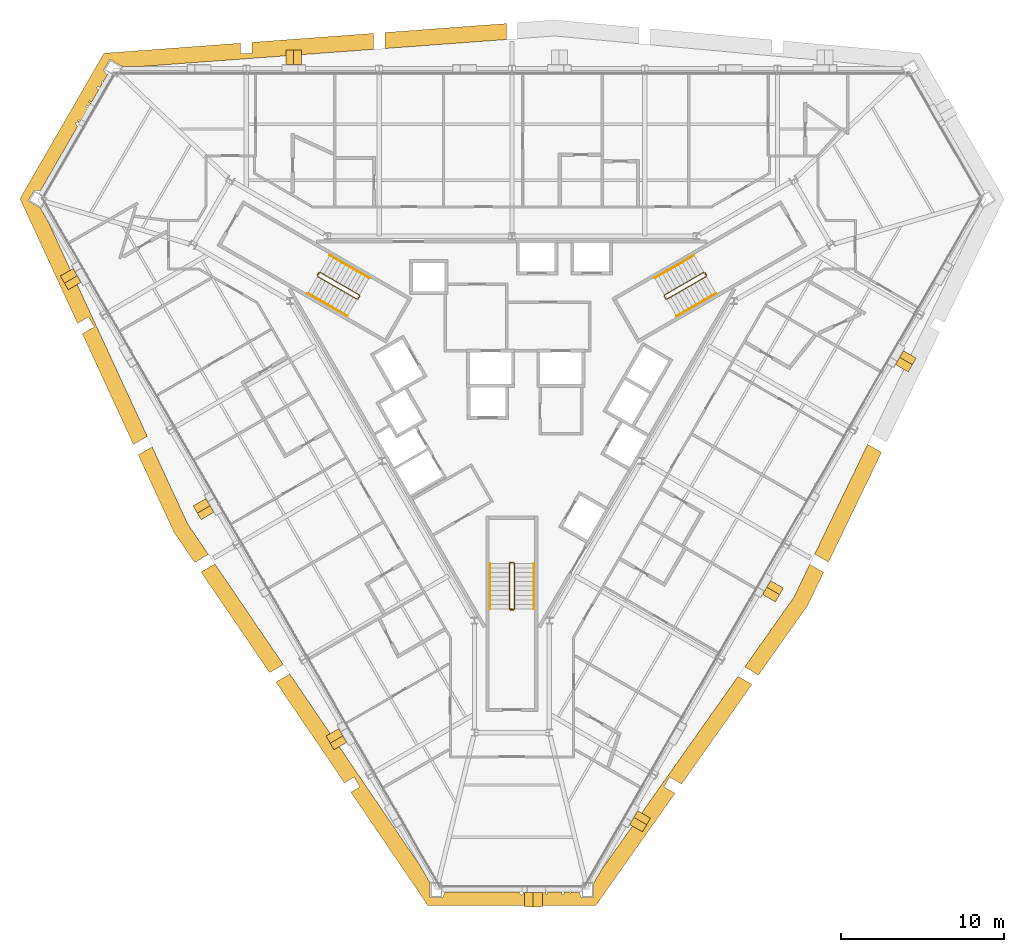
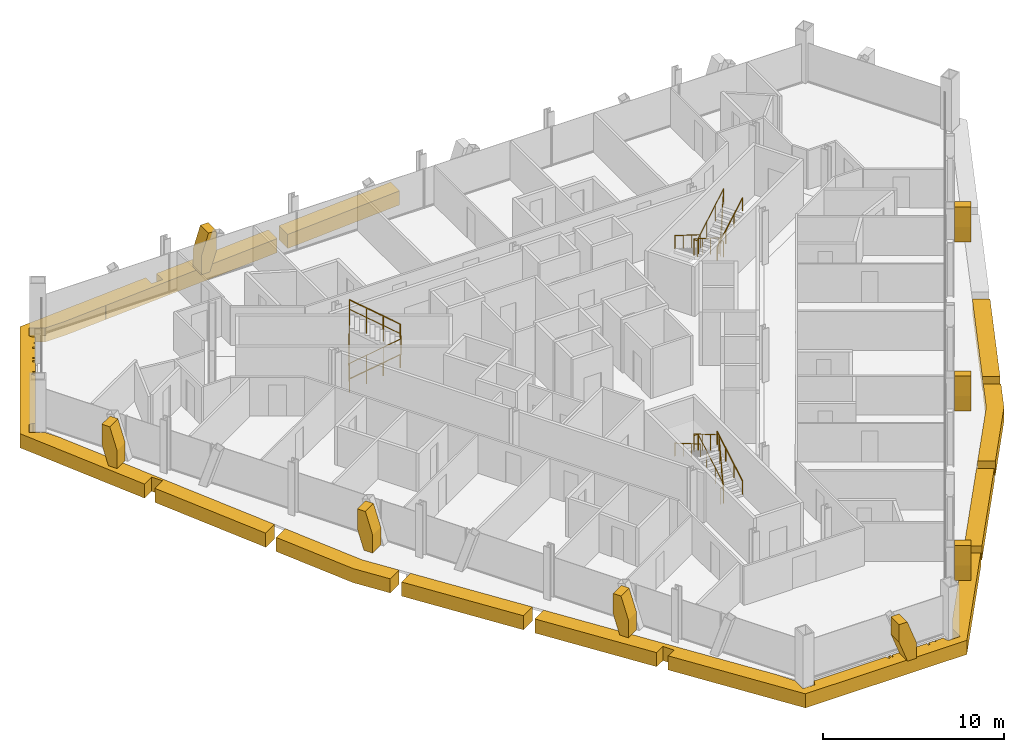
# One storey, part 18 of 19: 15 coverings, 9 railings.
"""IFC4 building model written with IfcOpenShell, lengths in metres."""

from ifc_helpers import new_model, si_unit, direction, frame, origin, origin_2d, place, context, subcontext, project, spatial, polyline, circle, outline, extrude, material, layer, layer_set, type_object, element, save


model = new_model("IFC4")

# Units and contexts
model_context = context("Model", 3, precision=1e-05, world=origin(), true_north=direction((0.0, 1.0)))
body_context = subcontext(model_context, "Body", "Model", "MODEL_VIEW")
ifc_project = project(units=[si_unit("LENGTHUNIT", "METRE"), si_unit("AREAUNIT", "SQUARE_METRE"), si_unit("VOLUMEUNIT", "CUBIC_METRE"), si_unit("PLANEANGLEUNIT", "RADIAN"), si_unit("MASSUNIT", "GRAM", prefix="KILO")], contexts=[model_context])

# Site, building, storey
site_placement = place(None, origin())
site = spatial("IfcSite", under=ifc_project, at=site_placement, CompositionType="ELEMENT")
building_placement = place(site_placement, origin())
building = spatial("IfcBuilding", under=site, at=building_placement, Name="Verrane Prism Tower", CompositionType="ELEMENT")
storey_placement = place(building_placement, frame((0.0, 0.0, 125.199951171875)))
storey = spatial("IfcBuildingStorey", under=building, at=storey_placement, Name="L30", CompositionType="ELEMENT", Elevation=125.199951171875)

# Railings
ifc_material_1 = material(Name="Steel A36 rail and posts, no infill", Category="steel")
railing_type_1 = type_object("IfcRailingType", Name="Stair guard 1100 steel rail and posts", PredefinedType="GUARDRAIL", material=ifc_material_1)
railing_1_placement = place(storey_placement, frame((11.78955078125, 6.97998046875, 0.16357421875)))
element("IfcRailing", 1, at=railing_1_placement, inside=storey, type_object=railing_type_1, Name="Stair 1 guard", PredefinedType="GUARDRAIL", context=body_context, shape_type="SweptSolid", body=[
    extrude(circle(Radius=0.02392578125, at=origin_2d()), frame((0.0, 0.0, 1.076171875), z_axis=(-0.747665513933, -0.431721881032, 0.504591415616), x_axis=(0.500049511043, -0.865996816683, 0.0)), (0.0, 0.0, 1.0), 3.2431640625),
    extrude(circle(Radius=0.02392578125, at=origin_2d()), frame((-2.4248046875, -1.400146484375, 2.71240234375), z_axis=(-0.259601060869, -0.965715946433, 0.0), x_axis=(0.965715946433, -0.259601060869, 0.0)), (0.0, 0.0, 1.0), 0.070556640625),
    extrude(circle(Radius=0.02392578125, at=origin_2d()), frame((-2.443115234375, -1.46826171875, 2.71240234375), z_axis=(0.499158860599, -0.866510491504, 0.0), x_axis=(0.866510491504, 0.499158860599, 0.0)), (0.0, 0.0, 1.0), 0.199951171875),
    extrude(circle(Radius=0.02392578125, at=origin_2d()), frame((-2.34326171875, -1.6416015625, 2.71240234375), z_axis=(0.383552647116, -0.102737316192, 0.917786691313), x_axis=(0.258736085224, 0.965948051503, 0.0)), (0.0, 0.0, 1.0), 0.17822265625),
    extrude(circle(Radius=0.02392578125, at=origin_2d()), frame((-2.27490234375, -1.659912109375, 2.8759765625), z_axis=(0.747665513933, 0.431721881032, 0.504591415616), x_axis=(-0.500049511043, 0.865996816683, 0.0)), (0.0, 0.0, 1.0), 3.2431640625),
    extrude(circle(Radius=0.02392578125, at=origin_2d()), frame((0.14990234375, -0.259765625, 4.5126953125), z_axis=(-0.022593669287, 0.066901613547, -0.997503734436), x_axis=(-0.947430582667, -0.3199613899, 0.0)), (0.0, 0.0, 1.0), 3.609130859375),
    extrude(circle(Radius=0.02392578125, at=origin_2d()), frame((0.068359375, -0.018310546875, 0.91259765625), z_axis=(0.499158860599, -0.866510491504, 0.0), x_axis=(0.866510491504, 0.499158860599, 0.0)), (0.0, 0.0, 1.0), 0.199951171875),
    extrude(circle(Radius=0.02099609375, at=origin_2d()), origin(), (0.0, 0.0, 1.0), 1.052001953125),
    extrude(circle(Radius=0.02099609375, at=origin_2d()), frame((-0.808349609375, -0.466796875, 0.54541015625)), (0.0, 0.0, 1.0), 1.052001953125),
    extrude(circle(Radius=0.02099609375, at=origin_2d()), frame((-1.616455078125, -0.933349609375, 1.091064453125)), (0.0, 0.0, 1.0), 1.052001953125),
    extrude(circle(Radius=0.02099609375, at=origin_2d()), frame((-2.4248046875, -1.400146484375, 1.636474609375)), (0.0, 0.0, 1.0), 1.052001953125),
    extrude(circle(Radius=0.02099609375, at=origin_2d()), frame((-2.443115234375, -1.46826171875, 1.636474609375)), (0.0, 0.0, 1.0), 1.052001953125),
    extrude(circle(Radius=0.02099609375, at=origin_2d()), frame((-2.34326171875, -1.6416015625, 1.636474609375)), (0.0, 0.0, 1.0), 1.052001953125),
    extrude(circle(Radius=0.02099609375, at=origin_2d()), frame((-2.27490234375, -1.659912109375, 1.800048828125)), (0.0, 0.0, 1.0), 1.052001953125),
    extrude(circle(Radius=0.02099609375, at=origin_2d()), frame((-1.466552734375, -1.193115234375, 2.345458984375)), (0.0, 0.0, 1.0), 1.052001953125),
    extrude(circle(Radius=0.02099609375, at=origin_2d()), frame((-0.658447265625, -0.7265625, 2.89111328125)), (0.0, 0.0, 1.0), 1.052001953125),
    extrude(circle(Radius=0.02099609375, at=origin_2d()), frame((0.14990234375, -0.259765625, 3.4365234375)), (0.0, 0.0, 1.0), 1.052001953125),
    extrude(circle(Radius=0.02099609375, at=origin_2d()), frame((0.12939453125, -0.199462890625, 2.53662109375)), (0.0, 0.0, 1.0), 1.052001953125),
    extrude(circle(Radius=0.02099609375, at=origin_2d()), frame((0.109130859375, -0.13916015625, 1.636474609375)), (0.0, 0.0, 1.0), 1.052001953125),
    extrude(circle(Radius=0.02099609375, at=origin_2d()), frame((0.0888671875, -0.07861328125, 0.736328125)), (0.0, 0.0, 1.0), 1.052001953125),
    extrude(circle(Radius=0.02099609375, at=origin_2d()), frame((0.068359375, -0.018310546875, -0.16357421875)), (0.0, 0.0, 1.0), 1.052001953125),
    extrude(circle(Radius=0.02099609375, at=origin_2d()), frame((0.168212890625, -0.191650390625, -0.16357421875)), (0.0, 0.0, 1.0), 1.052001953125),
])
railing_2_placement = place(storey_placement, frame((-11.939453125, 6.72021484375, 0.16357421875)))
element("IfcRailing", 2, at=railing_2_placement, inside=storey, type_object=railing_type_1, Name="Stair 2 guard", PredefinedType="GUARDRAIL", context=body_context, shape_type="SweptSolid", body=[
    extrude(circle(Radius=0.02392578125, at=origin_2d()), frame((0.0, 0.0, 1.076171875), z_axis=(0.747665513933, -0.431721881032, 0.504591415616), x_axis=(0.500049511043, 0.865996816683, 0.0)), (0.0, 0.0, 1.0), 3.2431640625),
    extrude(circle(Radius=0.02392578125, at=origin_2d()), frame((2.4248046875, -1.400146484375, 2.71240234375), z_axis=(0.965948051503, 0.258736085224, 0.0), x_axis=(-0.258736085224, 0.965948051503, 0.0)), (0.0, 0.0, 1.0), 0.07080078125),
    extrude(circle(Radius=0.02392578125, at=origin_2d()), frame((2.4931640625, -1.3818359375, 2.71240234375), z_axis=(0.499158860599, 0.866510491504, 0.0), x_axis=(-0.866510491504, 0.499158860599, 0.0)), (0.0, 0.0, 1.0), 0.199951171875),
    extrude(circle(Radius=0.02392578125, at=origin_2d()), frame((2.593017578125, -1.20849609375, 2.71240234375), z_axis=(-0.102791240646, 0.382383415203, 0.918268416436), x_axis=(-0.965715946433, -0.259601060869, 0.0)), (0.0, 0.0, 1.0), 0.17822265625),
    extrude(circle(Radius=0.02392578125, at=origin_2d()), frame((2.57470703125, -1.140380859375, 2.8759765625), z_axis=(-0.747665513933, 0.431721881032, 0.504591415616), x_axis=(-0.500049511043, -0.865996816683, 0.0)), (0.0, 0.0, 1.0), 3.2431640625),
    extrude(circle(Radius=0.02392578125, at=origin_2d()), frame((0.14990234375, 0.259765625, 4.5126953125), z_axis=(-0.046607763296, -0.053101733218, -0.99750083826), x_axis=(0.751567565678, -0.659656118156, 0.0)), (0.0, 0.0, 1.0), 3.609130859375),
    extrude(circle(Radius=0.02392578125, at=origin_2d()), frame((-0.018310546875, 0.068115234375, 0.91259765625), z_axis=(0.499158860599, 0.866510491504, 0.0), x_axis=(-0.866510491504, 0.499158860599, 0.0)), (0.0, 0.0, 1.0), 0.199951171875),
    extrude(circle(Radius=0.02099609375, at=origin_2d()), origin(), (0.0, 0.0, 1.0), 1.052001953125),
    extrude(circle(Radius=0.02099609375, at=origin_2d()), frame((0.808349609375, -0.466796875, 0.54541015625)), (0.0, 0.0, 1.0), 1.052001953125),
    extrude(circle(Radius=0.02099609375, at=origin_2d()), frame((1.616455078125, -0.933349609375, 1.091064453125)), (0.0, 0.0, 1.0), 1.052001953125),
    extrude(circle(Radius=0.02099609375, at=origin_2d()), frame((2.4248046875, -1.400146484375, 1.636474609375)), (0.0, 0.0, 1.0), 1.052001953125),
    extrude(circle(Radius=0.02099609375, at=origin_2d()), frame((2.4931640625, -1.3818359375, 1.636474609375)), (0.0, 0.0, 1.0), 1.052001953125),
    extrude(circle(Radius=0.02099609375, at=origin_2d()), frame((2.593017578125, -1.20849609375, 1.636474609375)), (0.0, 0.0, 1.0), 1.052001953125),
    extrude(circle(Radius=0.02099609375, at=origin_2d()), frame((2.57470703125, -1.140380859375, 1.800048828125)), (0.0, 0.0, 1.0), 1.052001953125),
    extrude(circle(Radius=0.02099609375, at=origin_2d()), frame((1.766357421875, -0.673583984375, 2.345458984375)), (0.0, 0.0, 1.0), 1.052001953125),
    extrude(circle(Radius=0.02099609375, at=origin_2d()), frame((0.958251953125, -0.20703125, 2.89111328125)), (0.0, 0.0, 1.0), 1.052001953125),
    extrude(circle(Radius=0.02099609375, at=origin_2d()), frame((0.14990234375, 0.259765625, 3.4365234375)), (0.0, 0.0, 1.0), 1.052001953125),
    extrude(circle(Radius=0.02099609375, at=origin_2d()), frame((0.10791015625, 0.2119140625, 2.53662109375)), (0.0, 0.0, 1.0), 1.052001953125),
    extrude(circle(Radius=0.02099609375, at=origin_2d()), frame((0.06591796875, 0.1640625, 1.636474609375)), (0.0, 0.0, 1.0), 1.052001953125),
    extrude(circle(Radius=0.02099609375, at=origin_2d()), frame((0.023681640625, 0.115966796875, 0.736328125)), (0.0, 0.0, 1.0), 1.052001953125),
    extrude(circle(Radius=0.02099609375, at=origin_2d()), frame((-0.018310546875, 0.068115234375, -0.16357421875)), (0.0, 0.0, 1.0), 1.052001953125),
    extrude(circle(Radius=0.02099609375, at=origin_2d()), frame((0.08154296875, 0.241455078125, -0.16357421875)), (0.0, 0.0, 1.0), 1.052001953125),
])
railing_3_placement = place(storey_placement, frame((0.14990234375, -13.699951171875, 0.16357421875)))
element("IfcRailing", 3, at=railing_3_placement, inside=storey, type_object=railing_type_1, Name="Stair 3 guard", PredefinedType="GUARDRAIL", context=body_context, shape_type="SweptSolid", body=[
    extrude(circle(Radius=0.02392578125, at=origin_2d()), frame((0.0, 0.0, 1.076171875), z_axis=(0.0, 0.863360870873, 0.504586966384), x_axis=(-1.0, 0.0, 0.0)), (0.0, 0.0, 1.0), 3.2431640625),
    extrude(circle(Radius=0.02392578125, at=origin_2d()), frame((0.0, 2.800048828125, 2.71240234375), z_axis=(-0.707106781187, 0.707106781187, 0.0), x_axis=(-0.707106781187, -0.707106781187, 0.0)), (0.0, 0.0, 1.0), 0.0703125),
    extrude(circle(Radius=0.02392578125, at=origin_2d()), frame((-0.0498046875, 2.849853515625, 2.71240234375), z_axis=(-1.0, 0.0, 0.0), x_axis=(0.0, -1.0, 0.0)), (0.0, 0.0, 1.0), 0.2001953125),
    extrude(circle(Radius=0.02392578125, at=origin_2d()), frame((-0.25, 2.849853515625, 2.71240234375), z_axis=(-0.279653641804, -0.279653641804, 0.918470294159), x_axis=(0.707106781187, -0.707106781187, 0.0)), (0.0, 0.0, 1.0), 0.177978515625),
    extrude(circle(Radius=0.02392578125, at=origin_2d()), frame((-0.2998046875, 2.800048828125, 2.8759765625), z_axis=(0.0, -0.863360870873, 0.504586966384), x_axis=(1.0, 0.0, 0.0)), (0.0, 0.0, 1.0), 3.2431640625),
    extrude(circle(Radius=0.02392578125, at=origin_2d()), frame((-0.2998046875, 0.0, 4.5126953125), z_axis=(0.069269067181, -0.013867342551, -0.997501625634), x_axis=(0.196300278283, 0.98054382908, 0.0)), (0.0, 0.0, 1.0), 3.609130859375),
    extrude(circle(Radius=0.02392578125, at=origin_2d()), frame((-0.0498046875, -0.050048828125, 0.91259765625), z_axis=(-1.0, 0.0, 0.0), x_axis=(0.0, -1.0, 0.0)), (0.0, 0.0, 1.0), 0.2001953125),
    extrude(circle(Radius=0.02099609375, at=origin_2d()), origin(), (0.0, 0.0, 1.0), 1.052001953125),
    extrude(circle(Radius=0.02099609375, at=origin_2d()), frame((0.0, 0.933349609375, 0.54541015625)), (0.0, 0.0, 1.0), 1.052001953125),
    extrude(circle(Radius=0.02099609375, at=origin_2d()), frame((0.0, 1.86669921875, 1.091064453125)), (0.0, 0.0, 1.0), 1.052001953125),
    extrude(circle(Radius=0.02099609375, at=origin_2d()), frame((0.0, 2.800048828125, 1.636474609375)), (0.0, 0.0, 1.0), 1.052001953125),
    extrude(circle(Radius=0.02099609375, at=origin_2d()), frame((-0.0498046875, 2.849853515625, 1.636474609375)), (0.0, 0.0, 1.0), 1.052001953125),
    extrude(circle(Radius=0.02099609375, at=origin_2d()), frame((-0.25, 2.849853515625, 1.636474609375)), (0.0, 0.0, 1.0), 1.052001953125),
    extrude(circle(Radius=0.02099609375, at=origin_2d()), frame((-0.2998046875, 2.800048828125, 1.800048828125)), (0.0, 0.0, 1.0), 1.052001953125),
    extrude(circle(Radius=0.02099609375, at=origin_2d()), frame((-0.2998046875, 1.86669921875, 2.345458984375)), (0.0, 0.0, 1.0), 1.052001953125),
    extrude(circle(Radius=0.02099609375, at=origin_2d()), frame((-0.2998046875, 0.933349609375, 2.89111328125)), (0.0, 0.0, 1.0), 1.052001953125),
    extrude(circle(Radius=0.02099609375, at=origin_2d()), frame((-0.2998046875, 0.0, 3.4365234375)), (0.0, 0.0, 1.0), 1.052001953125),
    extrude(circle(Radius=0.02099609375, at=origin_2d()), frame((-0.2373046875, -0.012451171875, 2.53662109375)), (0.0, 0.0, 1.0), 1.052001953125),
    extrude(circle(Radius=0.02099609375, at=origin_2d()), frame((-0.1748046875, -0.02490234375, 1.636474609375)), (0.0, 0.0, 1.0), 1.052001953125),
    extrude(circle(Radius=0.02099609375, at=origin_2d()), frame((-0.1123046875, -0.03759765625, 0.736328125)), (0.0, 0.0, 1.0), 1.052001953125),
    extrude(circle(Radius=0.02099609375, at=origin_2d()), frame((-0.0498046875, -0.050048828125, -0.16357421875)), (0.0, 0.0, 1.0), 1.052001953125),
    extrude(circle(Radius=0.02099609375, at=origin_2d()), frame((-0.25, -0.050048828125, -0.16357421875)), (0.0, 0.0, 1.0), 1.052001953125),
])
ifc_material_2 = material(Name="Steel A36 tube", Category="steel")
railing_type_2 = type_object("IfcRailingType", Name="Stair handrail 900 steel tube", PredefinedType="HANDRAIL", material=ifc_material_2)
railing_4_placement = place(storey_placement, frame((11.189453125, 8.01904296875, 0.16357421875)))
element("IfcRailing", 4, at=railing_4_placement, inside=storey, type_object=railing_type_2, Name="Stair 1 handrail", PredefinedType="HANDRAIL", context=body_context, shape_type="SweptSolid", body=[
    extrude(circle(Radius=0.02392578125, at=origin_2d()), frame((0.0, 0.0, 0.8759765625), z_axis=(-0.747689811644, -0.431660630283, 0.504607813879), x_axis=(0.49998411664, -0.866034573852, 0.0)), (0.0, 0.0, 1.0), 3.2431640625),
    extrude(circle(Radius=0.02099609375, at=origin_2d()), origin(), (0.0, 0.0, 1.0), 0.851806640625),
    extrude(circle(Radius=0.02099609375, at=origin_2d()), frame((-0.808349609375, -0.466552734375, 0.54541015625)), (0.0, 0.0, 1.0), 0.851806640625),
    extrude(circle(Radius=0.02099609375, at=origin_2d()), frame((-1.616455078125, -0.933349609375, 1.091064453125)), (0.0, 0.0, 1.0), 0.851806640625),
    extrude(circle(Radius=0.02099609375, at=origin_2d()), frame((-2.4248046875, -1.39990234375, 1.636474609375)), (0.0, 0.0, 1.0), 0.851806640625),
])
railing_5_placement = place(storey_placement, frame((10.11474609375, 4.28076171875, 1.963623046875)))
element("IfcRailing", 5, at=railing_5_placement, inside=storey, type_object=railing_type_2, Name="Stair 1 handrail", PredefinedType="HANDRAIL", context=body_context, shape_type="SweptSolid", body=[
    extrude(circle(Radius=0.02392578125, at=origin_2d()), frame((0.0, 0.0, 0.8759765625), z_axis=(0.747665513933, 0.431721881032, 0.504591415616), x_axis=(-0.500049511043, 0.865996816683, 0.0)), (0.0, 0.0, 1.0), 3.2431640625),
    extrude(circle(Radius=0.02099609375, at=origin_2d()), origin(), (0.0, 0.0, 1.0), 0.851806640625),
    extrude(circle(Radius=0.02099609375, at=origin_2d()), frame((0.808349609375, 0.466796875, 0.54541015625)), (0.0, 0.0, 1.0), 0.851806640625),
    extrude(circle(Radius=0.02099609375, at=origin_2d()), frame((1.616455078125, 0.933349609375, 1.091064453125)), (0.0, 0.0, 1.0), 0.851806640625),
    extrude(circle(Radius=0.02099609375, at=origin_2d()), frame((2.4248046875, 1.400146484375, 1.636474609375)), (0.0, 0.0, 1.0), 0.851806640625),
])
railing_6_placement = place(storey_placement, frame((-12.53955078125, 5.680908203125, 0.16357421875)))
element("IfcRailing", 6, at=railing_6_placement, inside=storey, type_object=railing_type_2, Name="Stair 2 handrail", PredefinedType="HANDRAIL", context=body_context, shape_type="SweptSolid", body=[
    extrude(circle(Radius=0.02392578125, at=origin_2d()), frame((0.0, 0.0, 0.8759765625), z_axis=(0.747665513933, -0.431721881032, 0.504591415616), x_axis=(0.500049511043, 0.865996816683, 0.0)), (0.0, 0.0, 1.0), 3.2431640625),
    extrude(circle(Radius=0.02099609375, at=origin_2d()), origin(), (0.0, 0.0, 1.0), 0.851806640625),
    extrude(circle(Radius=0.02099609375, at=origin_2d()), frame((0.808349609375, -0.466796875, 0.54541015625)), (0.0, 0.0, 1.0), 0.851806640625),
    extrude(circle(Radius=0.02099609375, at=origin_2d()), frame((1.616455078125, -0.933349609375, 1.091064453125)), (0.0, 0.0, 1.0), 0.851806640625),
    extrude(circle(Radius=0.02099609375, at=origin_2d()), frame((2.4248046875, -1.400146484375, 1.636474609375)), (0.0, 0.0, 1.0), 0.851806640625),
])
railing_7_placement = place(storey_placement, frame((-8.7646484375, 6.619140625, 1.963623046875)))
element("IfcRailing", 7, at=railing_7_placement, inside=storey, type_object=railing_type_2, Name="Stair 2 handrail", PredefinedType="HANDRAIL", context=body_context, shape_type="SweptSolid", body=[
    extrude(circle(Radius=0.02392578125, at=origin_2d()), frame((0.0, 0.0, 0.8759765625), z_axis=(-0.747689811644, 0.431660630283, 0.504607813879), x_axis=(-0.49998411664, -0.866034573852, 0.0)), (0.0, 0.0, 1.0), 3.2431640625),
    extrude(circle(Radius=0.02099609375, at=origin_2d()), origin(), (0.0, 0.0, 1.0), 0.851806640625),
    extrude(circle(Radius=0.02099609375, at=origin_2d()), frame((-0.808349609375, 0.466552734375, 0.54541015625)), (0.0, 0.0, 1.0), 0.851806640625),
    extrude(circle(Radius=0.02099609375, at=origin_2d()), frame((-1.616455078125, 0.933349609375, 1.091064453125)), (0.0, 0.0, 1.0), 0.851806640625),
    extrude(circle(Radius=0.02099609375, at=origin_2d()), frame((-2.4248046875, 1.39990234375, 1.636474609375)), (0.0, 0.0, 1.0), 0.851806640625),
])
railing_8_placement = place(storey_placement, frame((1.35009765625, -13.699951171875, 0.16357421875)))
element("IfcRailing", 8, at=railing_8_placement, inside=storey, type_object=railing_type_2, Name="Stair 3 handrail", PredefinedType="HANDRAIL", context=body_context, shape_type="SweptSolid", body=[
    extrude(circle(Radius=0.02392578125, at=origin_2d()), frame((0.0, 0.0, 0.8759765625), z_axis=(0.0, 0.863360870873, 0.504586966384), x_axis=(-1.0, 0.0, 0.0)), (0.0, 0.0, 1.0), 3.2431640625),
    extrude(circle(Radius=0.02099609375, at=origin_2d()), origin(), (0.0, 0.0, 1.0), 0.851806640625),
    extrude(circle(Radius=0.02099609375, at=origin_2d()), frame((0.0, 0.933349609375, 0.54541015625)), (0.0, 0.0, 1.0), 0.851806640625),
    extrude(circle(Radius=0.02099609375, at=origin_2d()), frame((0.0, 1.86669921875, 1.091064453125)), (0.0, 0.0, 1.0), 0.851806640625),
    extrude(circle(Radius=0.02099609375, at=origin_2d()), frame((0.0, 2.800048828125, 1.636474609375)), (0.0, 0.0, 1.0), 0.851806640625),
])
railing_9_placement = place(storey_placement, frame((-1.35009765625, -10.89990234375, 1.963623046875)))
element("IfcRailing", 9, at=railing_9_placement, inside=storey, type_object=railing_type_2, Name="Stair 3 handrail", PredefinedType="HANDRAIL", context=body_context, shape_type="SweptSolid", body=[
    extrude(circle(Radius=0.02392578125, at=origin_2d()), frame((0.0, 0.0, 0.8759765625), z_axis=(0.0, -0.863360870873, 0.504586966384), x_axis=(1.0, 0.0, 0.0)), (0.0, 0.0, 1.0), 3.2431640625),
    extrude(circle(Radius=0.02099609375, at=origin_2d()), origin(), (0.0, 0.0, 1.0), 0.851806640625),
    extrude(circle(Radius=0.02099609375, at=origin_2d()), frame((0.0, -0.933349609375, 0.54541015625)), (0.0, 0.0, 1.0), 0.851806640625),
    extrude(circle(Radius=0.02099609375, at=origin_2d()), frame((0.0, -1.86669921875, 1.091064453125)), (0.0, 0.0, 1.0), 0.851806640625),
    extrude(circle(Radius=0.02099609375, at=origin_2d()), frame((0.0, -2.800048828125, 1.636474609375)), (0.0, 0.0, 1.0), 0.851806640625),
])

# Coverings
ifc_material_3 = material(Name="Warm limestone cladding", Category="masonry")
ifc_layer_1 = layer(ifc_material_3, 0.89990234375)
ifc_layer_set_1 = layer_set([ifc_layer_1], Name="Stone brace fin 900")
covering_type_1 = type_object("IfcCoveringType", Name="Stone brace fin 900", PredefinedType="CLADDING", material=ifc_layer_set_1)
covering_1_placement = place(storey_placement, frame((-13.8857421875, 20.194091796875, 0.0), z_axis=(0.0, 0.0, 1.0), x_axis=(1.0, 0.0, 0.0)))
element("IfcCovering", 10, at=covering_1_placement, inside=storey, type_object=covering_type_1, Name="Stone brace fin N5 L30", PredefinedType="CLADDING", context=body_context, shape_type="SweptSolid", body=[
    extrude(outline(polyline([(0.972900390625, 2.650146484375), (0.462646484375, 2.650146484375), (0.0, 1.219970703125), (0.0, 0.0), (0.551513671875, 0.0), (0.972900390625, 1.30322265625), (0.972900390625, 2.650146484375)])), frame((0.0, 0.449951171875, 0.0), z_axis=(0.0, -1.0, 0.0), x_axis=(1.0, 0.0, 0.0)), (0.0, 0.0, 1.0), 0.89990234375),
])
covering_2_placement = place(storey_placement, frame((-26.860595703125, 6.1318359375, 0.0), z_axis=(0.0, 0.0, 1.0), x_axis=(-0.49907853737, 0.866556757251, 0.0)))
element("IfcCovering", 11, at=covering_2_placement, inside=storey, type_object=covering_type_1, Name="Stone brace fin SW1 L30", PredefinedType="CLADDING", context=body_context, shape_type="SweptSolid", body=[
    extrude(outline(polyline([(0.973876953125, 2.650146484375), (0.46337890625, 2.650146484375), (0.0, 1.218505859375), (0.0, 0.0), (0.551513671875, 0.0), (0.973876953125, 1.3046875), (0.973876953125, 2.650146484375)])), frame((0.0, 0.449951171875, 0.0), z_axis=(0.0, -1.0, 0.0), x_axis=(1.0, 0.0, 0.0)), (0.0, 0.0, 1.0), 0.89990234375),
])
for number, where, z_axis, x_axis, name in (
    (12, (-18.703125, -7.9921875, 0.0), (0.0, 0.0, 1.0), (-0.50037370452, 0.865809537846, 0.0), "Stone brace fin SW3 L30"),
    (13, (-10.543212890625, -22.122314453125, 0.0), (0.0, 0.0, 1.0), (-0.50037370452, 0.865809537846, 0.0), "Stone brace fin SW5 L30"),
):
    element("IfcCovering", number, at=place(storey_placement, frame(where, z_axis=z_axis, x_axis=x_axis)), inside=storey, type_object=covering_type_1, Name=name, PredefinedType="CLADDING", context=body_context, shape_type="SweptSolid", body=[
        extrude(outline(polyline([(0.973388671875, 2.650146484375), (0.463134765625, 2.650146484375), (0.0, 1.218994140625), (0.0, 0.0), (0.551513671875, 0.0), (0.973388671875, 1.303955078125), (0.973388671875, 2.650146484375)])), frame((0.0, 0.449951171875, 0.0), z_axis=(0.0, -1.0, 0.0), x_axis=(1.0, 0.0, 0.0)), (0.0, 0.0, 1.0), 0.89990234375),
    ])
for number, where, z_axis, x_axis, name in (
    (14, (8.1162109375, -26.324951171875, 0.0), (0.0, 0.0, 1.0), (-0.500018810599, -0.866014543207, 0.0), "Stone brace fin SE1 L30"),
    (15, (16.276123046875, -12.19482421875, 0.0), (0.0, 0.0, 1.0), (-0.49983089719, -0.866123013327, 0.0), "Stone brace fin SE3 L30"),
):
    element("IfcCovering", number, at=place(storey_placement, frame(where, z_axis=z_axis, x_axis=x_axis)), inside=storey, type_object=covering_type_1, Name=name, PredefinedType="CLADDING", context=body_context, shape_type="SweptSolid", body=[
        extrude(outline(polyline([(0.974609375, 2.650146484375), (0.464111328125, 2.650146484375), (0.0, 1.217529296875), (0.0, 0.0), (0.551513671875, 0.0), (0.974609375, 1.305419921875), (0.974609375, 2.650146484375)])), frame((0.0, 0.449951171875, 0.0), z_axis=(0.0, -1.0, 0.0), x_axis=(1.0, 0.0, 0.0)), (0.0, 0.0, 1.0), 0.89990234375),
    ])
covering_3_placement = place(storey_placement, frame((24.435791015625, 1.927734375, 0.0), z_axis=(0.0, 0.0, 1.0), x_axis=(-0.50037370452, -0.865809537846, 0.0)))
element("IfcCovering", 16, at=covering_3_placement, inside=storey, type_object=covering_type_1, Name="Stone brace fin SE5 L30", PredefinedType="CLADDING", context=body_context, shape_type="SweptSolid", body=[
    extrude(outline(polyline([(0.973388671875, 2.650146484375), (0.463134765625, 2.650146484375), (0.0, 1.218994140625), (0.0, 0.0), (0.551513671875, 0.0), (0.973388671875, 1.303955078125), (0.973388671875, 2.650146484375)])), frame((0.0, 0.449951171875, 0.0), z_axis=(0.0, -1.0, 0.0), x_axis=(1.0, 0.0, 0.0)), (0.0, 0.0, 1.0), 0.89990234375),
])
covering_4_placement = place(storey_placement, frame((1.878662109375, -31.56787109375, 0.0), z_axis=(0.0, 0.0, 1.0), x_axis=(-1.0, 0.0, 0.0)))
element("IfcCovering", 17, at=covering_4_placement, inside=storey, type_object=covering_type_1, Name="Stone brace fin S1 L30", PredefinedType="CLADDING", context=body_context, shape_type="SweptSolid", body=[
    extrude(outline(polyline([(1.10595703125, 2.650146484375), (0.586669921875, 2.650146484375), (0.0, 1.05712890625), (0.0, 0.0), (0.56982421875, 0.0), (1.10595703125, 1.455810546875), (1.10595703125, 2.650146484375)])), frame((0.0, 0.449951171875, 0.0), z_axis=(0.0, -1.0, 0.0), x_axis=(1.0, 0.0, 0.0)), (0.0, 0.0, 1.0), 0.89990234375),
])
ifc_material_4 = material(Name="Warm limestone cladding", Category="masonry")
ifc_layer_2 = layer(ifc_material_4, 0.449951171875)
ifc_layer_set_2 = layer_set([ifc_layer_2], Name="Stone spandrel band 450")
covering_type_2 = type_object("IfcCoveringType", Name="Stone spandrel band 450", PredefinedType="CLADDING", material=ifc_layer_set_2)
covering_5_placement = place(storey_placement, frame((0.0, 0.0, -0.949951171875)))
element("IfcCovering", 18, at=covering_5_placement, inside=storey, type_object=covering_type_2, Name="Stone spandrel band L30 part 2", PredefinedType="CLADDING", context=body_context, shape_type="SweptSolid", body=[
    extrude(outline(polyline([(-22.397216796875, -3.107666015625), (-28.50146484375, 10.119140625), (-28.9697265625, 10.93017578125), (-29.7158203125, 11.36083984375), (-29.335693359375, 12.01904296875), (-29.316650390625, 12.008056640625), (-29.094482421875, 12.008056640625), (-28.982666015625, 11.943603515625), (-26.68310546875, 15.926513671875), (-26.79638671875, 16.13330078125), (-26.66015625, 16.2080078125), (-26.59228515625, 16.083984375), (-26.52099609375, 16.207275390625), (-26.663330078125, 16.289306640625), (-26.625, 16.355712890625), (-26.482666015625, 16.273681640625), (-26.031494140625, 17.05517578125), (-26.174072265625, 17.137451171875), (-26.110595703125, 17.24755859375), (-25.968017578125, 17.165283203125), (-25.85791015625, 17.355712890625), (-26.00048828125, 17.43798828125), (-25.96240234375, 17.50439453125), (-25.819580078125, 17.422119140625), (-25.368408203125, 18.20361328125), (-25.51123046875, 18.2861328125), (-25.447509765625, 18.396240234375), (-25.3046875, 18.313720703125), (-25.153076171875, 18.57666015625), (-25.1923828125, 18.691162109375), (-25.1259765625, 18.714111328125), (-25.1064453125, 18.6572265625), (-24.833251953125, 19.130615234375), (-24.945556640625, 19.195556640625), (-25.056884765625, 19.389892578125), (-25.07568359375, 19.40087890625), (-24.69580078125, 20.05908203125), (-23.94091796875, 19.623291015625), (-22.666015625, 19.623291015625), (-19.937255859375, 19.824951171875), (-19.936279296875, 19.826904296875), (-19.9326171875, 19.8251953125), (-8.507080078125, 20.6689453125), (-8.507080078125, 21.649658203125), (-15.964599609375, 21.09912109375), (-15.964599609375, 20.409912109375), (-16.66455078125, 20.409912109375), (-16.66455078125, 21.04736328125), (-25.059814453125, 20.42724609375), (-30.215087890625, 11.498291015625), (-26.68017578125, 3.838623046875), (-26.008544921875, 4.226318359375), (-25.65869140625, 3.6201171875), (-26.3857421875, 3.200439453125), (-23.247802734375, -3.598876953125), (-22.397216796875, -3.107666015625)])), origin(), (0.0, 0.0, 1.0), 0.949951171875),
])
covering_6_placement = place(storey_placement, frame((0.0, 0.0, -0.949951171875)))
element("IfcCovering", 19, at=covering_6_placement, inside=storey, type_object=covering_type_2, Name="Stone spandrel band L30 part 3", PredefinedType="CLADDING", context=body_context, shape_type="SweptSolid", body=[
    extrude(outline(polyline([(5.149658203125, -31.916259765625), (10.015869140625, -25.02490234375), (9.3408203125, -24.63525390625), (9.69091796875, -24.029052734375), (10.421142578125, -24.45068359375), (14.740478515625, -18.333984375), (13.889892578125, -17.8427734375), (5.4873046875, -29.742431640625), (5.02001953125, -30.5517578125), (5.02001953125, -31.419921875), (4.260009765625, -31.419921875), (4.260009765625, -31.39794921875), (4.14892578125, -31.20361328125), (4.14892578125, -31.0712890625), (3.5986328125, -31.0712890625), (3.64111328125, -31.120361328125), (3.58740234375, -31.166748046875), (3.5048828125, -31.0712890625), (3.204345703125, -31.0712890625), (3.204345703125, -31.239990234375), (3.077392578125, -31.239990234375), (3.077392578125, -31.0712890625), (2.175048828125, -31.0712890625), (2.175048828125, -31.239990234375), (2.098388671875, -31.239990234375), (2.098388671875, -31.0712890625), (1.878662109375, -31.0712890625), (1.878662109375, -31.239990234375), (1.751708984375, -31.239990234375), (1.751708984375, -31.0712890625), (0.849365234375, -31.0712890625), (0.849365234375, -31.239990234375), (0.772705078125, -31.239990234375), (0.772705078125, -31.0712890625), (0.627685546875, -31.0712890625), (0.70361328125, -31.196533203125), (0.57080078125, -31.277099609375), (0.4462890625, -31.0712890625), (-4.14892578125, -31.0712890625), (-4.14892578125, -31.20361328125), (-4.260009765625, -31.39794921875), (-4.260009765625, -31.419921875), (-5.02001953125, -31.419921875), (-5.02001953125, -30.5517578125), (-5.661376953125, -29.44091796875), (-13.646240234375, -17.701904296875), (-14.49560546875, -18.1923828125), (-10.2900390625, -24.375), (-9.69091796875, -24.029052734375), (-9.3408203125, -24.63525390625), (-9.895263671875, -24.95556640625), (-5.16064453125, -31.916259765625), (5.149658203125, -31.916259765625)])), origin(), (0.0, 0.0, 1.0), 0.949951171875),
])
covering_7_placement = place(storey_placement, frame((0.0, 0.0, -0.949951171875)))
element("IfcCovering", 20, at=covering_7_placement, inside=storey, type_object=covering_type_2, Name="Stone spandrel band L30 part 4", PredefinedType="CLADDING", context=body_context, shape_type="SweptSolid", body=[
    extrude(outline(polyline([(-18.641357421875, -10.3583984375), (-19.916015625, -8.484375), (-22.102783203125, -3.74609375), (-22.953369140625, -4.237060546875), (-20.770263671875, -8.9677734375), (-19.49072265625, -10.848876953125), (-18.641357421875, -10.3583984375)])), origin(), (0.0, 0.0, 1.0), 0.949951171875),
])
covering_8_placement = place(storey_placement, frame((0.0, 0.0, -0.949951171875)))
element("IfcCovering", 21, at=covering_8_placement, inside=storey, type_object=covering_type_2, Name="Stone spandrel band L30 part 5", PredefinedType="CLADDING", context=body_context, shape_type="SweptSolid", body=[
    extrude(outline(polyline([(-14.890380859375, -17.612060546875), (-14.041015625, -17.12158203125), (-18.24658203125, -10.938720703125), (-19.095947265625, -11.42919921875), (-14.890380859375, -17.612060546875)])), origin(), (0.0, 0.0, 1.0), 0.949951171875),
])
covering_9_placement = place(storey_placement, frame((0.0, 0.0, -0.949951171875)))
element("IfcCovering", 22, at=covering_9_placement, inside=storey, type_object=covering_type_2, Name="Stone spandrel band L30 part 6", PredefinedType="CLADDING", context=body_context, shape_type="SweptSolid", body=[
    extrude(outline(polyline([(19.140625, -11.455078125), (18.291259765625, -10.964599609375), (17.3056640625, -13.005615234375), (14.29541015625, -17.2685546875), (15.14599609375, -17.759765625), (18.1513671875, -13.503662109375), (19.140625, -11.455078125)])), origin(), (0.0, 0.0, 1.0), 0.949951171875),
])
covering_10_placement = place(storey_placement, frame((0.0, 0.0, -0.949951171875)))
element("IfcCovering", 23, at=covering_10_placement, inside=storey, type_object=covering_type_2, Name="Stone spandrel band L30 part 7", PredefinedType="CLADDING", context=body_context, shape_type="SweptSolid", body=[
    extrude(outline(polyline([(22.697509765625, -4.08935546875), (21.848388671875, -3.59912109375), (18.596435546875, -10.33251953125), (19.44580078125, -10.822998046875), (22.697509765625, -4.08935546875)])), origin(), (0.0, 0.0, 1.0), 0.949951171875),
])
covering_11_placement = place(storey_placement, frame((0.0, 0.0, -0.949951171875)))
element("IfcCovering", 24, at=covering_11_placement, inside=storey, type_object=covering_type_2, Name="Stone spandrel band L30 part 9", PredefinedType="CLADDING", context=body_context, shape_type="SweptSolid", body=[
    extrude(outline(polyline([(-7.80712890625, 20.720703125), (-0.35009765625, 21.271484375), (-0.35009765625, 22.252197265625), (-7.80712890625, 21.701416015625), (-7.80712890625, 20.720703125)])), origin(), (0.0, 0.0, 1.0), 0.949951171875),
])

save(model, "model.ifc")
